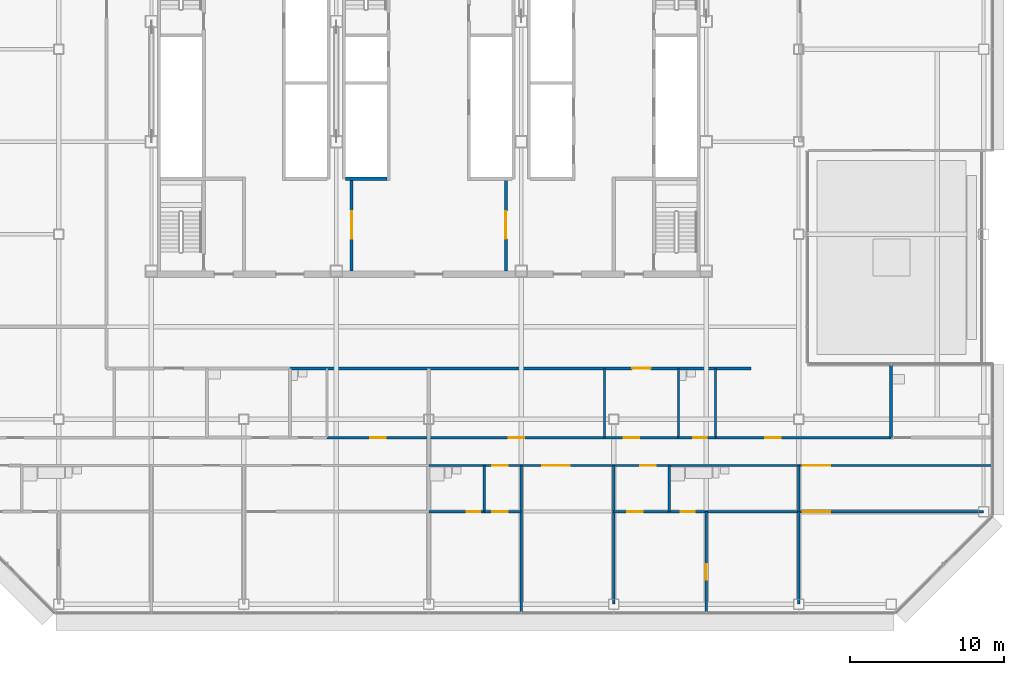
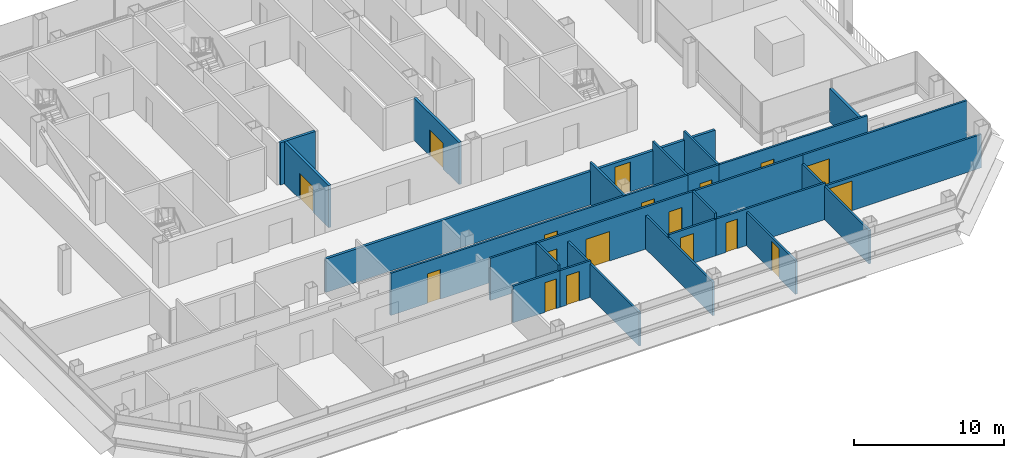
# One storey, part 20 of 27: 27 walls, 18 doors, 18 openings.
"""IFC4 building model written with IfcOpenShell, lengths in metres."""

from ifc_helpers import new_model, si_unit, direction, frame, frame_2d, origin, place, context, subcontext, project, spatial, rectangle, extrude, material, layer, layer_set, type_object, element, fill, save


model = new_model("IFC4")

# Units and contexts
model_context = context("Model", 3, precision=1e-05, world=origin(), true_north=direction((0.0, 1.0)))
body_context = subcontext(model_context, "Body", "Model", "MODEL_VIEW")
ifc_project = project(units=[si_unit("LENGTHUNIT", "METRE"), si_unit("AREAUNIT", "SQUARE_METRE"), si_unit("VOLUMEUNIT", "CUBIC_METRE"), si_unit("PLANEANGLEUNIT", "RADIAN"), si_unit("MASSUNIT", "GRAM", prefix="KILO")], contexts=[model_context])

# Site, building, storey
site_placement = place(None, origin())
site = spatial("IfcSite", under=ifc_project, at=site_placement, CompositionType="ELEMENT")
building_placement = place(site_placement, origin())
building = spatial("IfcBuilding", under=site, at=building_placement, Name="Sorahane Residences", CompositionType="ELEMENT")
storey_placement = place(building_placement, frame((0.0, 0.0, 167.199951171875)))
storey = spatial("IfcBuildingStorey", under=building, at=storey_placement, Name="L38", CompositionType="ELEMENT", Elevation=167.199951171875)

# Wall, opening, door
ifc_material_1 = material(Name="Concrete blockwork C20 wall", Category="masonry")
ifc_layer_1 = layer(ifc_material_1, 0.199951171875)
ifc_layer_set_1 = layer_set([ifc_layer_1], Name="Corridor wall 200 EI 120")
wall_type_1 = type_object("IfcWallType", Name="Corridor wall 200 EI 120", PredefinedType="SOLIDWALL", material=ifc_layer_set_1)
wall_1_placement = place(storey_placement, frame((15.0, 15.300048828125, 0.0), z_axis=(0.0, 0.0, 1.0), x_axis=(1.0, 0.0, 0.0)))
wall_1 = element("IfcWall", 1, at=wall_1_placement, inside=storey, type_object=wall_type_1, Name="L38 corridor wall", PredefinedType="SOLIDWALL", context=body_context, shape_type="SweptSolid", body=[
    extrude(rectangle(XDim=29.89990234375, YDim=0.199951171875, at=frame_2d((14.949951171875, 0.0))), origin(), (0.0, 0.0, 1.0), 2.719970703125),
])
opening_1_placement = place(wall_1_placement, frame((22.199951171875, 0.0, 0.0)))
opening_1 = element("IfcOpeningElement", 2, at=opening_1_placement, cuts=wall_1, Name="Opening L38-29", PredefinedType="OPENING", context=body_context, shape_type="SweptSolid", body=[
    extrude(rectangle(XDim=1.199951171875, YDim=2.39990234375, at=frame_2d((0.60009765625, 1.199951171875))), frame((0.0, 0.10986328125, 0.0), z_axis=(0.0, -1.0, 0.0), x_axis=(1.0, 0.0, 0.0)), (0.0, 0.0, 1.0), 0.219970703125),
])
ifc_material_2 = material(Name="Timber veneered fire door", Category="wood")
door_type_1 = type_object("IfcDoorType", Name="Flat entrance door 1200x2400 FD60", OperationType="NOTDEFINED", PredefinedType="DOOR", material=ifc_material_2)
door_1_placement = place(opening_1_placement, frame((1.199951171875, 0.0, 0.0), z_axis=(0.0, 0.0, 1.0), x_axis=(-1.0, 0.0, 0.0)))
door_1 = element("IfcDoor", 3, at=door_1_placement, inside=storey, type_object=door_type_1, Name="Flat entrance door L38-29", OperationType="SINGLE_SWING_LEFT", OverallHeight=2.39990234375, OverallWidth=1.199951171875, PredefinedType="DOOR", context=body_context, shape_type="SweptSolid", body=[
    extrude(rectangle(XDim=1.199951171875, YDim=2.39990234375, at=frame_2d((0.60009765625, 1.199951171875))), frame((0.0, 0.02490234375, 0.0), z_axis=(0.0, -1.0, 0.0), x_axis=(1.0, 0.0, 0.0)), (0.0, 0.0, 1.0), 0.050048828125),
])
fill(opening_1, door_1)

# Walls
ifc_material_3 = material(Name="Concrete blockwork C20 wall", Category="masonry")
ifc_layer_2 = layer(ifc_material_3, 0.199951171875)
ifc_layer_set_2 = layer_set([ifc_layer_2], Name="Kitchen wall 200 EI 180")
wall_type_2 = type_object("IfcWallType", Name="Kitchen wall 200 EI 180", PredefinedType="SOLIDWALL", material=ifc_layer_set_2)
wall_2_placement = place(storey_placement, frame((54.0, 10.800048828125, 0.0), z_axis=(0.0, 0.0, 1.0), x_axis=(0.0, 1.0, 0.0)))
element("IfcWall", 4, at=wall_2_placement, inside=storey, type_object=wall_type_2, Name="L38 kitchen wall", PredefinedType="SOLIDWALL", context=body_context, shape_type="SweptSolid", body=[
    extrude(rectangle(XDim=4.800048828125, YDim=0.199951171875, at=frame_2d((2.39990234375, 0.0))), origin(), (0.0, 0.0, 1.0), 2.719970703125),
])
ifc_material_4 = material(Name="Concrete C30", Category="concrete")
ifc_layer_3 = layer(ifc_material_4, 0.199951171875)
ifc_layer_set_3 = layer_set([ifc_layer_3], Name="Lift shaft wall 200 EI 120")
wall_type_3 = type_object("IfcWallType", Name="Lift shaft wall 200 EI 120", PredefinedType="SOLIDWALL", material=ifc_layer_set_3)
wall_3_placement = place(storey_placement, frame((18.60009765625, 27.60009765625, 0.0), z_axis=(0.0, 0.0, 1.0), x_axis=(1.0, 0.0, 0.0)))
element("IfcWall", 5, at=wall_3_placement, inside=storey, type_object=wall_type_3, Name="L38 lift shaft wall", PredefinedType="SOLIDWALL", context=body_context, shape_type="SweptSolid", body=[
    extrude(rectangle(XDim=2.699951171875, YDim=0.199951171875, at=frame_2d((1.35009765625, 0.0))), origin(), (0.0, 0.0, 1.0), 3.420166015625),
])
ifc_material_5 = material(Name="Gypsum board partition on steel studs", Category="steel")
ifc_layer_4 = layer(ifc_material_5, 0.14990234375)
ifc_layer_set_4 = layer_set([ifc_layer_4], Name="Partition 150 EI 90")
wall_type_4 = type_object("IfcWallType", Name="Partition 150 EI 90", PredefinedType="PARTITIONING", material=ifc_layer_set_4)
wall_4_placement = place(storey_placement, frame((30.0, -0.60009765625, 0.0), z_axis=(0.0, 0.0, 1.0), x_axis=(0.0, 1.0, 0.0)))
element("IfcWall", 6, at=wall_4_placement, inside=storey, type_object=wall_type_4, Name="L38 partition", PredefinedType="PARTITIONING", context=body_context, shape_type="SweptSolid", body=[
    extrude(rectangle(XDim=9.60009765625, YDim=0.14990234375, at=frame_2d((4.800048828125, 0.0))), origin(), (0.0, 0.0, 1.0), 2.719970703125),
])
wall_5_placement = place(storey_placement, frame((35.39990234375, 10.800048828125, 0.0), z_axis=(0.0, 0.0, 1.0), x_axis=(0.0, 1.0, 0.0)))
element("IfcWall", 7, at=wall_5_placement, inside=storey, type_object=wall_type_4, Name="L38 partition", PredefinedType="PARTITIONING", context=body_context, shape_type="SweptSolid", body=[
    extrude(rectangle(XDim=4.5, YDim=0.14990234375, at=frame_2d((2.25, 0.0))), origin(), (0.0, 0.0, 1.0), 3.420166015625),
])
wall_6_placement = place(storey_placement, frame((36.0, 0.0, 0.0), z_axis=(0.0, 0.0, 1.0), x_axis=(0.0, 1.0, 0.0)))
element("IfcWall", 8, at=wall_6_placement, inside=storey, type_object=wall_type_4, Name="L38 partition", PredefinedType="PARTITIONING", context=body_context, shape_type="SweptSolid", body=[
    extrude(rectangle(XDim=9.0, YDim=0.14990234375, at=frame_2d((4.5, 0.0))), origin(), (0.0, 0.0, 1.0), 2.719970703125),
])

# Wall, opening, door
wall_7_placement = place(storey_placement, frame((42.0, -0.60009765625, 0.0), z_axis=(0.0, 0.0, 1.0), x_axis=(0.0, 1.0, 0.0)))
wall_7 = element("IfcWall", 9, at=wall_7_placement, inside=storey, type_object=wall_type_4, Name="L38 partition", PredefinedType="PARTITIONING", context=body_context, shape_type="SweptSolid", body=[
    extrude(rectangle(XDim=6.60009765625, YDim=0.14990234375, at=frame_2d((3.300048828125, 0.0))), origin(), (0.0, 0.0, 1.0), 2.719970703125),
])
opening_2_placement = place(wall_7_placement, frame((2.199951171875, 0.0, 0.0)))
opening_2 = element("IfcOpeningElement", 10, at=opening_2_placement, cuts=wall_7, Name="Opening L38-25", PredefinedType="OPENING", context=body_context, shape_type="SweptSolid", body=[
    extrude(rectangle(XDim=1.0, YDim=2.39990234375, at=frame_2d((0.5, 1.199951171875))), frame((0.0, 0.0849609375, 0.0), z_axis=(0.0, -1.0, 0.0), x_axis=(1.0, 0.0, 0.0)), (0.0, 0.0, 1.0), 0.169921875),
])
ifc_material_6 = material(Name="Timber veneered fire door", Category="wood")
door_type_2 = type_object("IfcDoorType", Name="Room door 1000x2400 FD30", OperationType="NOTDEFINED", PredefinedType="DOOR", material=ifc_material_6)
door_2_placement = place(opening_2_placement, frame((1.0, 0.0, 0.0), z_axis=(0.0, 0.0, 1.0), x_axis=(-1.0, 0.0, 0.0)))
door_2 = element("IfcDoor", 11, at=door_2_placement, inside=storey, type_object=door_type_2, Name="Room door L38-25", OperationType="SINGLE_SWING_RIGHT", OverallHeight=2.39990234375, OverallWidth=1.0, PredefinedType="DOOR", context=body_context, shape_type="SweptSolid", body=[
    extrude(rectangle(XDim=1.0, YDim=2.39990234375, at=frame_2d((0.5, 1.199951171875))), frame((0.0, 0.02490234375, 0.0), z_axis=(0.0, -1.0, 0.0), x_axis=(1.0, 0.0, 0.0)), (0.0, 0.0, 1.0), 0.050048828125),
])
fill(opening_2, door_2)

# Wall
wall_8_placement = place(storey_placement, frame((48.0, 0.0, 0.0), z_axis=(0.0, 0.0, 1.0), x_axis=(0.0, 1.0, 0.0)))
element("IfcWall", 12, at=wall_8_placement, inside=storey, type_object=wall_type_4, Name="L38 partition", PredefinedType="PARTITIONING", context=body_context, shape_type="SweptSolid", body=[
    extrude(rectangle(XDim=6.0, YDim=0.14990234375, at=frame_2d((3.0, 0.0))), origin(), (0.0, 0.0, 1.0), 2.719970703125),
])

# Wall, openings, doors
wall_9_placement = place(storey_placement, frame((17.39990234375, 10.800048828125, 0.0), z_axis=(0.0, 0.0, 1.0), x_axis=(1.0, 0.0, 0.0)))
wall_9 = element("IfcWall", 13, at=wall_9_placement, inside=storey, type_object=wall_type_4, Name="L38 partition", PredefinedType="PARTITIONING", context=body_context, shape_type="SweptSolid", body=[
    extrude(rectangle(XDim=22.800048828125, YDim=0.14990234375, at=frame_2d((11.39990234375, 0.0))), origin(), (0.0, 0.0, 1.0), 3.420166015625),
])
opening_3_placement = place(wall_9_placement, frame((2.800048828125, 0.0, 0.0)))
opening_3 = element("IfcOpeningElement", 14, at=opening_3_placement, cuts=wall_9, Name="Opening L38-05", PredefinedType="OPENING", context=body_context, shape_type="SweptSolid", body=[
    extrude(rectangle(XDim=1.0, YDim=2.39990234375, at=frame_2d((0.5, 1.199951171875))), frame((0.0, 0.0849609375, 0.0), z_axis=(0.0, -1.0, 0.0), x_axis=(1.0, 0.0, 0.0)), (0.0, 0.0, 1.0), 0.169921875),
])
opening_4_placement = place(wall_9_placement, frame((19.239990234375, 0.0, 0.0)))
opening_4 = element("IfcOpeningElement", 15, at=opening_4_placement, cuts=wall_9, Name="Opening L38-13", PredefinedType="OPENING", context=body_context, shape_type="SweptSolid", body=[
    extrude(rectangle(XDim=1.0, YDim=2.39990234375, at=frame_2d((0.5, 1.199951171875))), frame((0.0, 0.0849609375, 0.0), z_axis=(0.0, -1.0, 0.0), x_axis=(1.0, 0.0, 0.0)), (0.0, 0.0, 1.0), 0.169921875),
])
opening_5_placement = place(wall_9_placement, frame((11.800048828125, 0.0, 0.0)))
opening_5 = element("IfcOpeningElement", 16, at=opening_5_placement, cuts=wall_9, Name="Opening L38-14", PredefinedType="OPENING", context=body_context, shape_type="SweptSolid", body=[
    extrude(rectangle(XDim=1.0, YDim=2.39990234375, at=frame_2d((0.5, 1.199951171875))), frame((0.0, 0.0849609375, 0.0), z_axis=(0.0, -1.0, 0.0), x_axis=(1.0, 0.0, 0.0)), (0.0, 0.0, 1.0), 0.169921875),
])
door_3_placement = place(opening_3_placement, origin())
door_3 = element("IfcDoor", 17, at=door_3_placement, inside=storey, type_object=door_type_2, Name="Room door L38-05", OperationType="SINGLE_SWING_RIGHT", OverallHeight=2.39990234375, OverallWidth=1.0, PredefinedType="DOOR", context=body_context, shape_type="SweptSolid", body=[
    extrude(rectangle(XDim=1.0, YDim=2.39990234375, at=frame_2d((0.5, 1.199951171875))), frame((0.0, 0.02490234375, 0.0), z_axis=(0.0, -1.0, 0.0), x_axis=(1.0, 0.0, 0.0)), (0.0, 0.0, 1.0), 0.050048828125),
])
fill(opening_3, door_3)
door_4_placement = place(opening_4_placement, frame((1.0, 0.0, 0.0), z_axis=(0.0, 0.0, 1.0), x_axis=(-1.0, 0.0, 0.0)))
door_4 = element("IfcDoor", 18, at=door_4_placement, inside=storey, type_object=door_type_2, Name="Room door L38-13", OperationType="SINGLE_SWING_LEFT", OverallHeight=2.39990234375, OverallWidth=1.0, PredefinedType="DOOR", context=body_context, shape_type="SweptSolid", body=[
    extrude(rectangle(XDim=1.0, YDim=2.39990234375, at=frame_2d((0.5, 1.199951171875))), frame((0.0, 0.02490234375, 0.0), z_axis=(0.0, -1.0, 0.0), x_axis=(1.0, 0.0, 0.0)), (0.0, 0.0, 1.0), 0.050048828125),
])
fill(opening_4, door_4)
door_5_placement = place(opening_5_placement, origin())
door_5 = element("IfcDoor", 19, at=door_5_placement, inside=storey, type_object=door_type_2, Name="Room door L38-14", OperationType="SINGLE_SWING_RIGHT", OverallHeight=2.39990234375, OverallWidth=1.0, PredefinedType="DOOR", context=body_context, shape_type="SweptSolid", body=[
    extrude(rectangle(XDim=1.0, YDim=2.39990234375, at=frame_2d((0.5, 1.199951171875))), frame((0.0, 0.02490234375, 0.0), z_axis=(0.0, -1.0, 0.0), x_axis=(1.0, 0.0, 0.0)), (0.0, 0.0, 1.0), 0.050048828125),
])
fill(opening_5, door_5)

# Wall, opening, door
wall_10_placement = place(storey_placement, frame((42.60009765625, 10.800048828125, 0.0), z_axis=(0.0, 0.0, 1.0), x_axis=(1.0, 0.0, 0.0)))
wall_10 = element("IfcWall", 20, at=wall_10_placement, inside=storey, type_object=wall_type_4, Name="L38 partition", PredefinedType="PARTITIONING", context=body_context, shape_type="SweptSolid", body=[
    extrude(rectangle(XDim=11.39990234375, YDim=0.14990234375, at=frame_2d((5.699951171875, 0.0))), origin(), (0.0, 0.0, 1.0), 3.420166015625),
])
opening_6_placement = place(wall_10_placement, frame((3.219970703125, 0.0, 0.0)))
opening_6 = element("IfcOpeningElement", 21, at=opening_6_placement, cuts=wall_10, Name="Opening L38-16", PredefinedType="OPENING", context=body_context, shape_type="SweptSolid", body=[
    extrude(rectangle(XDim=1.0, YDim=2.39990234375, at=frame_2d((0.5, 1.199951171875))), frame((0.0, 0.0849609375, 0.0), z_axis=(0.0, -1.0, 0.0), x_axis=(1.0, 0.0, 0.0)), (0.0, 0.0, 1.0), 0.169921875),
])
door_6_placement = place(opening_6_placement, origin())
door_6 = element("IfcDoor", 22, at=door_6_placement, inside=storey, type_object=door_type_2, Name="Room door L38-16", OperationType="SINGLE_SWING_RIGHT", OverallHeight=2.39990234375, OverallWidth=1.0, PredefinedType="DOOR", context=body_context, shape_type="SweptSolid", body=[
    extrude(rectangle(XDim=1.0, YDim=2.39990234375, at=frame_2d((0.5, 1.199951171875))), frame((0.0, 0.02490234375, 0.0), z_axis=(0.0, -1.0, 0.0), x_axis=(1.0, 0.0, 0.0)), (0.0, 0.0, 1.0), 0.050048828125),
])
fill(opening_6, door_6)

wall_11_placement = place(storey_placement, frame((27.60009765625, 6.0, 0.0), z_axis=(0.0, 0.0, 1.0), x_axis=(1.0, 0.0, 0.0)))
wall_11 = element("IfcWall", 23, at=wall_11_placement, inside=storey, type_object=wall_type_4, Name="L38 partition", PredefinedType="PARTITIONING", context=body_context, shape_type="SweptSolid", body=[
    extrude(rectangle(XDim=2.39990234375, YDim=0.14990234375, at=frame_2d((1.199951171875, 0.0))), origin(), (0.0, 0.0, 1.0), 2.969970703125),
])
opening_7_placement = place(wall_11_placement, frame((0.52001953125, 0.0, 0.0)))
opening_7 = element("IfcOpeningElement", 24, at=opening_7_placement, cuts=wall_11, Name="Opening L38-22", PredefinedType="OPENING", context=body_context, shape_type="SweptSolid", body=[
    extrude(rectangle(XDim=1.0, YDim=2.39990234375, at=frame_2d((0.5, 1.199951171875))), frame((0.0, 0.0849609375, 0.0), z_axis=(0.0, -1.0, 0.0), x_axis=(1.0, 0.0, 0.0)), (0.0, 0.0, 1.0), 0.169921875),
])
door_7_placement = place(opening_7_placement, frame((1.0, 0.0, 0.0), z_axis=(0.0, 0.0, 1.0), x_axis=(-1.0, 0.0, 0.0)))
door_7 = element("IfcDoor", 25, at=door_7_placement, inside=storey, type_object=door_type_2, Name="Room door L38-22", OperationType="SINGLE_SWING_RIGHT", OverallHeight=2.39990234375, OverallWidth=1.0, PredefinedType="DOOR", context=body_context, shape_type="SweptSolid", body=[
    extrude(rectangle(XDim=1.0, YDim=2.39990234375, at=frame_2d((0.5, 1.199951171875))), frame((0.0, 0.02490234375, 0.0), z_axis=(0.0, -1.0, 0.0), x_axis=(1.0, 0.0, 0.0)), (0.0, 0.0, 1.0), 0.050048828125),
])
fill(opening_7, door_7)

wall_12_placement = place(storey_placement, frame((36.0, 6.0, 0.0), z_axis=(0.0, 0.0, 1.0), x_axis=(1.0, 0.0, 0.0)))
wall_12 = element("IfcWall", 26, at=wall_12_placement, inside=storey, type_object=wall_type_4, Name="L38 partition", PredefinedType="PARTITIONING", context=body_context, shape_type="SweptSolid", body=[
    extrude(rectangle(XDim=3.60009765625, YDim=0.14990234375, at=frame_2d((1.800048828125, 0.0))), origin(), (0.0, 0.0, 1.0), 2.969970703125),
])
opening_8_placement = place(wall_12_placement, frame((0.8798828125, 0.0, 0.0)))
opening_8 = element("IfcOpeningElement", 27, at=opening_8_placement, cuts=wall_12, Name="Opening L38-24", PredefinedType="OPENING", context=body_context, shape_type="SweptSolid", body=[
    extrude(rectangle(XDim=1.0, YDim=2.39990234375, at=frame_2d((0.5, 1.199951171875))), frame((0.0, 0.0849609375, 0.0), z_axis=(0.0, -1.0, 0.0), x_axis=(1.0, 0.0, 0.0)), (0.0, 0.0, 1.0), 0.169921875),
])
door_8_placement = place(opening_8_placement, frame((1.0, 0.0, 0.0), z_axis=(0.0, 0.0, 1.0), x_axis=(-1.0, 0.0, 0.0)))
door_8 = element("IfcDoor", 28, at=door_8_placement, inside=storey, type_object=door_type_2, Name="Room door L38-24", OperationType="SINGLE_SWING_LEFT", OverallHeight=2.39990234375, OverallWidth=1.0, PredefinedType="DOOR", context=body_context, shape_type="SweptSolid", body=[
    extrude(rectangle(XDim=1.0, YDim=2.39990234375, at=frame_2d((0.5, 1.199951171875))), frame((0.0, 0.02490234375, 0.0), z_axis=(0.0, -1.0, 0.0), x_axis=(1.0, 0.0, 0.0)), (0.0, 0.0, 1.0), 0.050048828125),
])
fill(opening_8, door_8)

wall_13_placement = place(storey_placement, frame((48.0, 6.0, 0.0), z_axis=(0.0, 0.0, 1.0), x_axis=(1.0, 0.0, 0.0)))
wall_13 = element("IfcWall", 29, at=wall_13_placement, inside=storey, type_object=wall_type_4, Name="L38 partition", PredefinedType="PARTITIONING", context=body_context, shape_type="SweptSolid", body=[
    extrude(rectangle(XDim=12.0, YDim=0.14990234375, at=frame_2d((6.0, 0.0))), origin(), (0.0, 0.0, 1.0), 2.719970703125),
])
opening_9_placement = place(wall_13_placement, frame((0.25, 0.0, 0.0)))
opening_9 = element("IfcOpeningElement", 30, at=opening_9_placement, cuts=wall_13, Name="Opening L38-27", PredefinedType="OPENING", context=body_context, shape_type="SweptSolid", body=[
    extrude(rectangle(XDim=1.800048828125, YDim=2.39990234375, at=frame_2d((0.89990234375, 1.199951171875))), frame((0.0, 0.0849609375, 0.0), z_axis=(0.0, -1.0, 0.0), x_axis=(1.0, 0.0, 0.0)), (0.0, 0.0, 1.0), 0.169921875),
])
ifc_material_7 = material(Name="Timber veneered fire door", Category="wood")
door_type_3 = type_object("IfcDoorType", Name="Double door 1800x2400 FD30", OperationType="NOTDEFINED", PredefinedType="DOOR", material=ifc_material_7)
door_9_placement = place(opening_9_placement, frame((1.800048828125, 0.0, 0.0), z_axis=(0.0, 0.0, 1.0), x_axis=(-1.0, 0.0, 0.0)))
door_9 = element("IfcDoor", 31, at=door_9_placement, inside=storey, type_object=door_type_3, Name="Double door L38-27", OperationType="SINGLE_SWING_RIGHT", OverallHeight=2.39990234375, OverallWidth=1.800048828125, PredefinedType="DOOR", context=body_context, shape_type="SweptSolid", body=[
    extrude(rectangle(XDim=1.800048828125, YDim=2.39990234375, at=frame_2d((0.89990234375, 1.199951171875))), frame((0.0, 0.02490234375, 0.0), z_axis=(0.0, -1.0, 0.0), x_axis=(1.0, 0.0, 0.0)), (0.0, 0.0, 1.0), 0.050048828125),
])
fill(opening_9, door_9)

# Wall, openings, doors
wall_14_placement = place(storey_placement, frame((27.60009765625, 9.0, 0.0), z_axis=(0.0, 0.0, 1.0), x_axis=(1.0, 0.0, 0.0)))
wall_14 = element("IfcWall", 32, at=wall_14_placement, inside=storey, type_object=wall_type_4, Name="L38 partition", PredefinedType="PARTITIONING", context=body_context, shape_type="SweptSolid", body=[
    extrude(rectangle(XDim=12.0, YDim=0.14990234375, at=frame_2d((6.0, 0.0))), origin(), (0.0, 0.0, 1.0), 3.420166015625),
])
opening_10_placement = place(wall_14_placement, frame((0.52001953125, 0.0, 0.0)))
opening_10 = element("IfcOpeningElement", 33, at=opening_10_placement, cuts=wall_14, Name="Opening L38-18", PredefinedType="OPENING", context=body_context, shape_type="SweptSolid", body=[
    extrude(rectangle(XDim=1.0, YDim=2.39990234375, at=frame_2d((0.5, 1.199951171875))), frame((0.0, 0.0849609375, 0.0), z_axis=(0.0, -1.0, 0.0), x_axis=(1.0, 0.0, 0.0)), (0.0, 0.0, 1.0), 0.169921875),
])
opening_11_placement = place(wall_14_placement, frame((3.760009765625, 0.0, 0.0)))
opening_11 = element("IfcOpeningElement", 34, at=opening_11_placement, cuts=wall_14, Name="Opening L38-19", PredefinedType="OPENING", context=body_context, shape_type="SweptSolid", body=[
    extrude(rectangle(XDim=1.800048828125, YDim=2.39990234375, at=frame_2d((0.89990234375, 1.199951171875))), frame((0.0, 0.0849609375, 0.0), z_axis=(0.0, -1.0, 0.0), x_axis=(1.0, 0.0, 0.0)), (0.0, 0.0, 1.0), 0.169921875),
])
opening_12_placement = place(wall_14_placement, frame((10.1201171875, 0.0, 0.0)))
opening_12 = element("IfcOpeningElement", 35, at=opening_12_placement, cuts=wall_14, Name="Opening L38-20", PredefinedType="OPENING", context=body_context, shape_type="SweptSolid", body=[
    extrude(rectangle(XDim=1.0, YDim=2.39990234375, at=frame_2d((0.5, 1.199951171875))), frame((0.0, 0.0849609375, 0.0), z_axis=(0.0, -1.0, 0.0), x_axis=(1.0, 0.0, 0.0)), (0.0, 0.0, 1.0), 0.169921875),
])
door_10_placement = place(opening_11_placement, frame((1.800048828125, 0.0, 0.0), z_axis=(0.0, 0.0, 1.0), x_axis=(-1.0, 0.0, 0.0)))
door_10 = element("IfcDoor", 36, at=door_10_placement, inside=storey, type_object=door_type_3, Name="Double door L38-19", OperationType="SINGLE_SWING_RIGHT", OverallHeight=2.39990234375, OverallWidth=1.800048828125, PredefinedType="DOOR", context=body_context, shape_type="SweptSolid", body=[
    extrude(rectangle(XDim=1.800048828125, YDim=2.39990234375, at=frame_2d((0.89990234375, 1.199951171875))), frame((0.0, 0.02490234375, 0.0), z_axis=(0.0, -1.0, 0.0), x_axis=(1.0, 0.0, 0.0)), (0.0, 0.0, 1.0), 0.050048828125),
])
fill(opening_11, door_10)
door_11_placement = place(opening_10_placement, frame((1.0, 0.0, 0.0), z_axis=(0.0, 0.0, 1.0), x_axis=(-1.0, 0.0, 0.0)))
door_11 = element("IfcDoor", 37, at=door_11_placement, inside=storey, type_object=door_type_2, Name="Room door L38-18", OperationType="SINGLE_SWING_LEFT", OverallHeight=2.39990234375, OverallWidth=1.0, PredefinedType="DOOR", context=body_context, shape_type="SweptSolid", body=[
    extrude(rectangle(XDim=1.0, YDim=2.39990234375, at=frame_2d((0.5, 1.199951171875))), frame((0.0, 0.02490234375, 0.0), z_axis=(0.0, -1.0, 0.0), x_axis=(1.0, 0.0, 0.0)), (0.0, 0.0, 1.0), 0.050048828125),
])
fill(opening_10, door_11)
door_12_placement = place(opening_12_placement, frame((1.0, 0.0, 0.0), z_axis=(0.0, 0.0, 1.0), x_axis=(-1.0, 0.0, 0.0)))
door_12 = element("IfcDoor", 38, at=door_12_placement, inside=storey, type_object=door_type_2, Name="Room door L38-20", OperationType="SINGLE_SWING_RIGHT", OverallHeight=2.39990234375, OverallWidth=1.0, PredefinedType="DOOR", context=body_context, shape_type="SweptSolid", body=[
    extrude(rectangle(XDim=1.0, YDim=2.39990234375, at=frame_2d((0.5, 1.199951171875))), frame((0.0, 0.02490234375, 0.0), z_axis=(0.0, -1.0, 0.0), x_axis=(1.0, 0.0, 0.0)), (0.0, 0.0, 1.0), 0.050048828125),
])
fill(opening_12, door_12)

# Wall, opening, door
wall_15_placement = place(storey_placement, frame((48.0, 9.0, 0.0), z_axis=(0.0, 0.0, 1.0), x_axis=(1.0, 0.0, 0.0)))
wall_15 = element("IfcWall", 39, at=wall_15_placement, inside=storey, type_object=wall_type_4, Name="L38 partition", PredefinedType="PARTITIONING", context=body_context, shape_type="SweptSolid", body=[
    extrude(rectangle(XDim=12.60009765625, YDim=0.14990234375, at=frame_2d((6.300048828125, 0.0))), origin(), (0.0, 0.0, 1.0), 3.420166015625),
])
opening_13_placement = place(wall_15_placement, frame((0.25, 0.0, 0.0)))
opening_13 = element("IfcOpeningElement", 40, at=opening_13_placement, cuts=wall_15, Name="Opening L38-21", PredefinedType="OPENING", context=body_context, shape_type="SweptSolid", body=[
    extrude(rectangle(XDim=1.800048828125, YDim=2.39990234375, at=frame_2d((0.89990234375, 1.199951171875))), frame((0.0, 0.0849609375, 0.0), z_axis=(0.0, -1.0, 0.0), x_axis=(1.0, 0.0, 0.0)), (0.0, 0.0, 1.0), 0.169921875),
])
door_13_placement = place(opening_13_placement, frame((1.800048828125, 0.0, 0.0), z_axis=(0.0, 0.0, 1.0), x_axis=(-1.0, 0.0, 0.0)))
door_13 = element("IfcDoor", 41, at=door_13_placement, inside=storey, type_object=door_type_3, Name="Double door L38-21", OperationType="SINGLE_SWING_RIGHT", OverallHeight=2.39990234375, OverallWidth=1.800048828125, PredefinedType="DOOR", context=body_context, shape_type="SweptSolid", body=[
    extrude(rectangle(XDim=1.800048828125, YDim=2.39990234375, at=frame_2d((0.89990234375, 1.199951171875))), frame((0.0, 0.02490234375, 0.0), z_axis=(0.0, -1.0, 0.0), x_axis=(1.0, 0.0, 0.0)), (0.0, 0.0, 1.0), 0.050048828125),
])
fill(opening_13, door_13)

ifc_material_8 = material(Name="Concrete C30", Category="concrete")
ifc_layer_5 = layer(ifc_material_8, 0.199951171875)
ifc_layer_set_5 = layer_set([ifc_layer_5], Name="Service room partition 200 EI 60")
wall_type_5 = type_object("IfcWallType", Name="Service room partition 200 EI 60", PredefinedType="PARTITIONING", material=ifc_layer_set_5)
wall_16_placement = place(storey_placement, frame((19.0, 21.60009765625, 0.0), z_axis=(0.0, 0.0, 1.0), x_axis=(0.0, 1.0, 0.0)))
wall_16 = element("IfcWall", 42, at=wall_16_placement, inside=storey, type_object=wall_type_5, Name="L38 service room wall", PredefinedType="PARTITIONING", context=body_context, shape_type="SweptSolid", body=[
    extrude(rectangle(XDim=6.0, YDim=0.199951171875, at=frame_2d((3.0, 0.0))), origin(), (0.0, 0.0, 1.0), 3.420166015625),
])
opening_14_placement = place(wall_16_placement, frame((2.10009765625, 0.0, 0.0)))
opening_14 = element("IfcOpeningElement", 43, at=opening_14_placement, cuts=wall_16, Name="Opening L38-C02", PredefinedType="OPENING", context=body_context, shape_type="SweptSolid", body=[
    extrude(rectangle(XDim=1.800048828125, YDim=2.10009765625, at=frame_2d((0.89990234375, 1.050048828125))), frame((0.0, 0.10986328125, 0.0), z_axis=(0.0, -1.0, 0.0), x_axis=(1.0, 0.0, 0.0)), (0.0, 0.0, 1.0), 0.219970703125),
])
ifc_material_9 = material(Name="Steel", Category="steel")
door_type_4 = type_object("IfcDoorType", Name="Waiting hall door 1800x2100 FD60", OperationType="NOTDEFINED", PredefinedType="DOOR", material=ifc_material_9)
door_14_placement = place(opening_14_placement, origin())
door_14 = element("IfcDoor", 44, at=door_14_placement, inside=storey, type_object=door_type_4, Name="Waiting hall door Residents' waiting hall west L38", OperationType="SINGLE_SWING_LEFT", OverallHeight=2.10009765625, OverallWidth=1.800048828125, PredefinedType="DOOR", context=body_context, shape_type="SweptSolid", body=[
    extrude(rectangle(XDim=1.800048828125, YDim=2.10009765625, at=frame_2d((0.89990234375, 1.050048828125))), frame((0.0, 0.02490234375, 0.0), z_axis=(0.0, -1.0, 0.0), x_axis=(1.0, 0.0, 0.0)), (0.0, 0.0, 1.0), 0.050048828125),
])
fill(opening_14, door_14)

wall_17_placement = place(storey_placement, frame((29.0, 21.60009765625, 0.0), z_axis=(0.0, 0.0, 1.0), x_axis=(0.0, 1.0, 0.0)))
wall_17 = element("IfcWall", 45, at=wall_17_placement, inside=storey, type_object=wall_type_5, Name="L38 service room wall", PredefinedType="PARTITIONING", context=body_context, shape_type="SweptSolid", body=[
    extrude(rectangle(XDim=6.0, YDim=0.199951171875, at=frame_2d((3.0, 0.0))), origin(), (0.0, 0.0, 1.0), 3.420166015625),
])
opening_15_placement = place(wall_17_placement, frame((2.10009765625, 0.0, 0.0)))
opening_15 = element("IfcOpeningElement", 46, at=opening_15_placement, cuts=wall_17, Name="Opening L38-C04", PredefinedType="OPENING", context=body_context, shape_type="SweptSolid", body=[
    extrude(rectangle(XDim=1.800048828125, YDim=2.10009765625, at=frame_2d((0.89990234375, 1.050048828125))), frame((0.0, 0.10986328125, 0.0), z_axis=(0.0, -1.0, 0.0), x_axis=(1.0, 0.0, 0.0)), (0.0, 0.0, 1.0), 0.219970703125),
])
door_15_placement = place(opening_15_placement, origin())
door_15 = element("IfcDoor", 47, at=door_15_placement, inside=storey, type_object=door_type_4, Name="Waiting hall door Residents' waiting hall centre L38", OperationType="SINGLE_SWING_LEFT", OverallHeight=2.10009765625, OverallWidth=1.800048828125, PredefinedType="DOOR", context=body_context, shape_type="SweptSolid", body=[
    extrude(rectangle(XDim=1.800048828125, YDim=2.10009765625, at=frame_2d((0.89990234375, 1.050048828125))), frame((0.0, 0.02490234375, 0.0), z_axis=(0.0, -1.0, 0.0), x_axis=(1.0, 0.0, 0.0)), (0.0, 0.0, 1.0), 0.050048828125),
])
fill(opening_15, door_15)

# Walls
ifc_material_10 = material(Name="Gypsum board partition on steel studs", Category="steel")
ifc_layer_6 = layer(ifc_material_10, 0.14990234375)
ifc_layer_set_6 = layer_set([ifc_layer_6], Name="Wet wall 150 EI 90")
wall_type_6 = type_object("IfcWallType", Name="Wet wall 150 EI 90", PredefinedType="PARTITIONING", material=ifc_layer_set_6)
for number, where, z_axis, x_axis, name in (
    (48, (27.60009765625, 6.0, 0.0), (0.0, 0.0, 1.0), (0.0, 1.0, 0.0), "L38 wet wall"),
    (49, (39.60009765625, 6.0, 0.0), (0.0, 0.0, 1.0), (0.0, 1.0, 0.0), "L38 wet wall"),
):
    element("IfcWall", number, at=place(storey_placement, frame(where, z_axis=z_axis, x_axis=x_axis)), inside=storey, type_object=wall_type_6, Name=name, PredefinedType="PARTITIONING", context=body_context, shape_type="SweptSolid", body=[
        extrude(rectangle(XDim=3.0, YDim=0.14990234375, at=frame_2d((1.5, 0.0))), origin(), (0.0, 0.0, 1.0), 3.420166015625),
    ])
for number, where, z_axis, x_axis, name in (
    (50, (40.199951171875, 10.800048828125, 0.0), (0.0, 0.0, 1.0), (0.0, 1.0, 0.0), "L38 wet wall"),
    (51, (42.60009765625, 10.800048828125, 0.0), (0.0, 0.0, 1.0), (0.0, 1.0, 0.0), "L38 wet wall"),
):
    element("IfcWall", number, at=place(storey_placement, frame(where, z_axis=z_axis, x_axis=x_axis)), inside=storey, type_object=wall_type_6, Name=name, PredefinedType="PARTITIONING", context=body_context, shape_type="SweptSolid", body=[
        extrude(rectangle(XDim=4.5, YDim=0.14990234375, at=frame_2d((2.25, 0.0))), origin(), (0.0, 0.0, 1.0), 3.420166015625),
    ])
wall_18_placement = place(storey_placement, frame((48.0, 6.0, 0.0), z_axis=(0.0, 0.0, 1.0), x_axis=(0.0, 1.0, 0.0)))
element("IfcWall", 52, at=wall_18_placement, inside=storey, type_object=wall_type_6, Name="L38 wet wall", PredefinedType="PARTITIONING", context=body_context, shape_type="SweptSolid", body=[
    extrude(rectangle(XDim=3.0, YDim=0.14990234375, at=frame_2d((1.5, 0.0))), origin(), (0.0, 0.0, 1.0), 2.719970703125),
])

# Wall, opening, door
wall_19_placement = place(storey_placement, frame((40.199951171875, 10.800048828125, 0.0), z_axis=(0.0, 0.0, 1.0), x_axis=(1.0, 0.0, 0.0)))
wall_19 = element("IfcWall", 53, at=wall_19_placement, inside=storey, type_object=wall_type_6, Name="L38 wet wall", PredefinedType="PARTITIONING", context=body_context, shape_type="SweptSolid", body=[
    extrude(rectangle(XDim=2.400146484375, YDim=0.14990234375, at=frame_2d((1.2001953125, 0.0))), origin(), (0.0, 0.0, 1.0), 3.420166015625),
])
opening_16_placement = place(wall_19_placement, frame((0.949951171875, 0.0, 0.0)))
opening_16 = element("IfcOpeningElement", 54, at=opening_16_placement, cuts=wall_19, Name="Opening L38-15", PredefinedType="OPENING", context=body_context, shape_type="SweptSolid", body=[
    extrude(rectangle(XDim=0.89990234375, YDim=2.39990234375, at=frame_2d((0.449951171875, 1.199951171875))), frame((0.0, 0.0849609375, 0.0), z_axis=(0.0, -1.0, 0.0), x_axis=(1.0, 0.0, 0.0)), (0.0, 0.0, 1.0), 0.169921875),
])
ifc_material_11 = material(Name="Timber veneered fire door", Category="wood")
door_type_5 = type_object("IfcDoorType", Name="Bathroom door 900x2400 FD30", OperationType="NOTDEFINED", PredefinedType="DOOR", material=ifc_material_11)
door_16_placement = place(opening_16_placement, frame((0.89990234375, 0.0, 0.0), z_axis=(0.0, 0.0, 1.0), x_axis=(-1.0, 0.0, 0.0)))
door_16 = element("IfcDoor", 55, at=door_16_placement, inside=storey, type_object=door_type_5, Name="Bathroom door L38-15", OperationType="SINGLE_SWING_LEFT", OverallHeight=2.39990234375, OverallWidth=0.89990234375, PredefinedType="DOOR", context=body_context, shape_type="SweptSolid", body=[
    extrude(rectangle(XDim=0.89990234375, YDim=2.39990234375, at=frame_2d((0.449951171875, 1.199951171875))), frame((0.0, 0.02490234375, 0.0), z_axis=(0.0, -1.0, 0.0), x_axis=(1.0, 0.0, 0.0)), (0.0, 0.0, 1.0), 0.050048828125),
])
fill(opening_16, door_16)

wall_20_placement = place(storey_placement, frame((24.0, 6.0, 0.0), z_axis=(0.0, 0.0, 1.0), x_axis=(1.0, 0.0, 0.0)))
wall_20 = element("IfcWall", 56, at=wall_20_placement, inside=storey, type_object=wall_type_6, Name="L38 wet wall", PredefinedType="PARTITIONING", context=body_context, shape_type="SweptSolid", body=[
    extrude(rectangle(XDim=3.60009765625, YDim=0.14990234375, at=frame_2d((1.800048828125, 0.0))), origin(), (0.0, 0.0, 1.0), 2.969970703125),
])
opening_17_placement = place(wall_20_placement, frame((2.449951171875, 0.0, 0.0)))
opening_17 = element("IfcOpeningElement", 57, at=opening_17_placement, cuts=wall_20, Name="Opening L38-23", PredefinedType="OPENING", context=body_context, shape_type="SweptSolid", body=[
    extrude(rectangle(XDim=0.89990234375, YDim=2.39990234375, at=frame_2d((0.449951171875, 1.199951171875))), frame((0.0, 0.0849609375, 0.0), z_axis=(0.0, -1.0, 0.0), x_axis=(1.0, 0.0, 0.0)), (0.0, 0.0, 1.0), 0.169921875),
])
door_17_placement = place(opening_17_placement, frame((0.89990234375, 0.0, 0.0), z_axis=(0.0, 0.0, 1.0), x_axis=(-1.0, 0.0, 0.0)))
door_17 = element("IfcDoor", 58, at=door_17_placement, inside=storey, type_object=door_type_5, Name="Bathroom door L38-23", OperationType="SINGLE_SWING_RIGHT", OverallHeight=2.39990234375, OverallWidth=0.89990234375, PredefinedType="DOOR", context=body_context, shape_type="SweptSolid", body=[
    extrude(rectangle(XDim=0.89990234375, YDim=2.39990234375, at=frame_2d((0.449951171875, 1.199951171875))), frame((0.0, 0.02490234375, 0.0), z_axis=(0.0, -1.0, 0.0), x_axis=(1.0, 0.0, 0.0)), (0.0, 0.0, 1.0), 0.050048828125),
])
fill(opening_17, door_17)

wall_21_placement = place(storey_placement, frame((39.60009765625, 6.0, 0.0), z_axis=(0.0, 0.0, 1.0), x_axis=(1.0, 0.0, 0.0)))
wall_21 = element("IfcWall", 59, at=wall_21_placement, inside=storey, type_object=wall_type_6, Name="L38 wet wall", PredefinedType="PARTITIONING", context=body_context, shape_type="SweptSolid", body=[
    extrude(rectangle(XDim=8.39990234375, YDim=0.14990234375, at=frame_2d((4.199951171875, 0.0))), origin(), (0.0, 0.0, 1.0), 2.969970703125),
])
opening_18_placement = place(wall_21_placement, frame((0.75, 0.0, 0.0)))
opening_18 = element("IfcOpeningElement", 60, at=opening_18_placement, cuts=wall_21, Name="Opening L38-26", PredefinedType="OPENING", context=body_context, shape_type="SweptSolid", body=[
    extrude(rectangle(XDim=0.89990234375, YDim=2.39990234375, at=frame_2d((0.449951171875, 1.199951171875))), frame((0.0, 0.0849609375, 0.0), z_axis=(0.0, -1.0, 0.0), x_axis=(1.0, 0.0, 0.0)), (0.0, 0.0, 1.0), 0.169921875),
])
door_18_placement = place(opening_18_placement, frame((0.89990234375, 0.0, 0.0), z_axis=(0.0, 0.0, 1.0), x_axis=(-1.0, 0.0, 0.0)))
door_18 = element("IfcDoor", 61, at=door_18_placement, inside=storey, type_object=door_type_5, Name="Bathroom door L38-26", OperationType="SINGLE_SWING_LEFT", OverallHeight=2.39990234375, OverallWidth=0.89990234375, PredefinedType="DOOR", context=body_context, shape_type="SweptSolid", body=[
    extrude(rectangle(XDim=0.89990234375, YDim=2.39990234375, at=frame_2d((0.449951171875, 1.199951171875))), frame((0.0, 0.02490234375, 0.0), z_axis=(0.0, -1.0, 0.0), x_axis=(1.0, 0.0, 0.0)), (0.0, 0.0, 1.0), 0.050048828125),
])
fill(opening_18, door_18)

# Walls
wall_22_placement = place(storey_placement, frame((24.0, 9.0, 0.0), z_axis=(0.0, 0.0, 1.0), x_axis=(1.0, 0.0, 0.0)))
element("IfcWall", 62, at=wall_22_placement, inside=storey, type_object=wall_type_6, Name="L38 wet wall", PredefinedType="PARTITIONING", context=body_context, shape_type="SweptSolid", body=[
    extrude(rectangle(XDim=3.60009765625, YDim=0.14990234375, at=frame_2d((1.800048828125, 0.0))), origin(), (0.0, 0.0, 1.0), 3.420166015625),
])
wall_23_placement = place(storey_placement, frame((39.60009765625, 9.0, 0.0), z_axis=(0.0, 0.0, 1.0), x_axis=(1.0, 0.0, 0.0)))
element("IfcWall", 63, at=wall_23_placement, inside=storey, type_object=wall_type_6, Name="L38 wet wall", PredefinedType="PARTITIONING", context=body_context, shape_type="SweptSolid", body=[
    extrude(rectangle(XDim=8.39990234375, YDim=0.14990234375, at=frame_2d((4.199951171875, 0.0))), origin(), (0.0, 0.0, 1.0), 3.420166015625),
])

save(model, "model.ifc")
